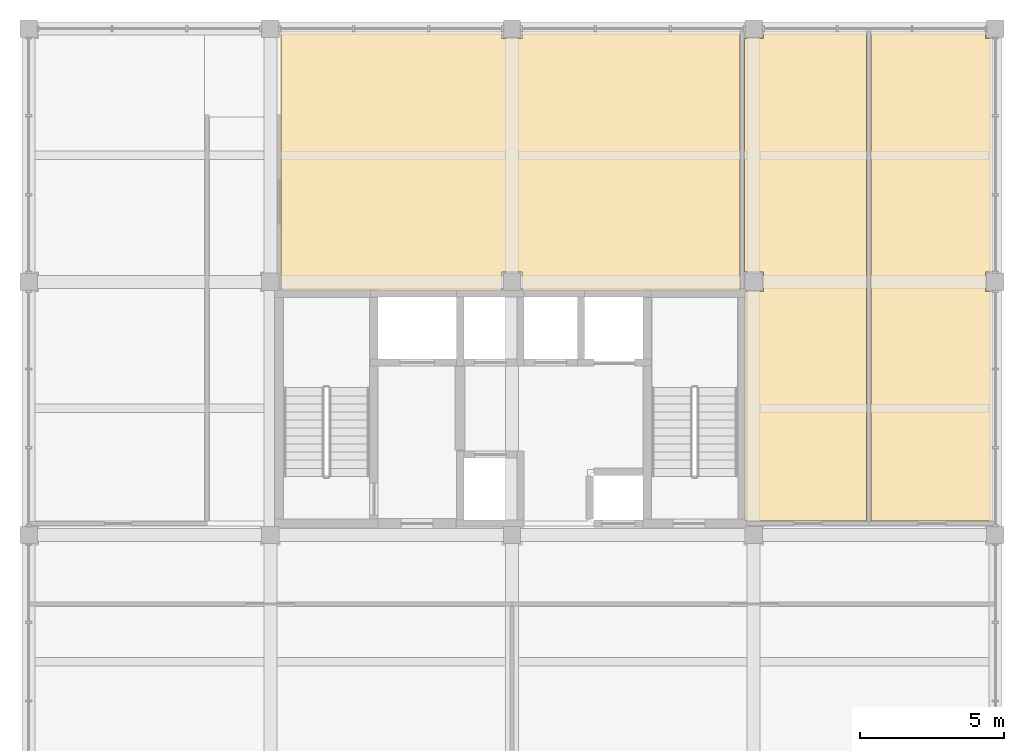
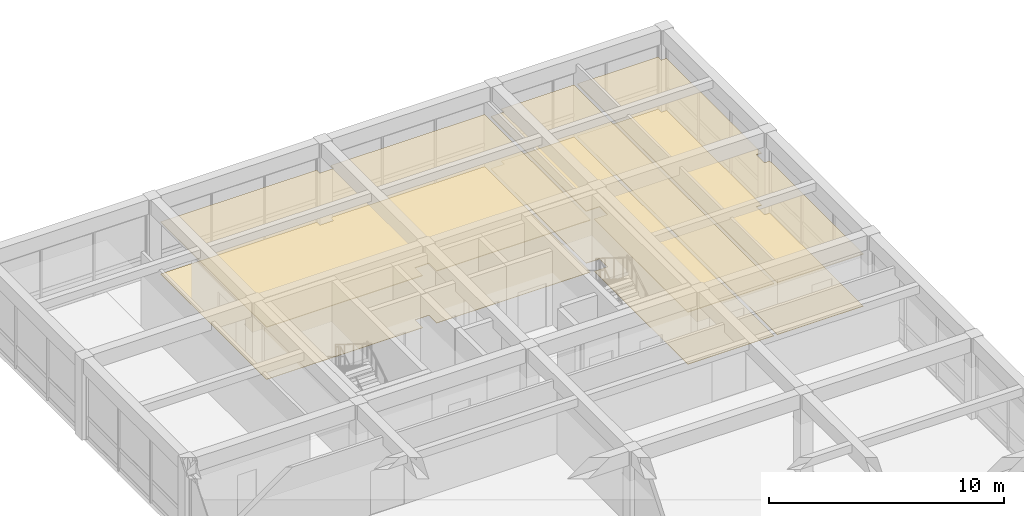
# One storey, part 14 of 14: 6 coverings.
"""IFC4 building model written with IfcOpenShell, lengths in metres."""

from ifc_helpers import new_model, si_unit, direction, frame, origin, place, context, subcontext, project, spatial, polyline, outline, extrude, material, layer, layer_set, type_object, element, save


model = new_model("IFC4")

# Units and contexts
model_context = context("Model", 3, precision=1e-05, world=origin(), true_north=direction((0.0, 1.0)))
body_context = subcontext(model_context, "Body", "Model", "MODEL_VIEW")
ifc_project = project(units=[si_unit("LENGTHUNIT", "METRE"), si_unit("AREAUNIT", "SQUARE_METRE"), si_unit("VOLUMEUNIT", "CUBIC_METRE"), si_unit("PLANEANGLEUNIT", "RADIAN"), si_unit("MASSUNIT", "GRAM", prefix="KILO")], contexts=[model_context])

# Site, building, storey
site_placement = place(None, origin())
site = spatial("IfcSite", under=ifc_project, at=site_placement, CompositionType="ELEMENT")
building_placement = place(site_placement, origin())
building = spatial("IfcBuilding", under=site, at=building_placement, Name="Kemercrest Conservatory and Botanical Centre", CompositionType="ELEMENT")
storey_placement = place(building_placement, frame((0.0, 0.0, 63.800048828125)))
storey = spatial("IfcBuildingStorey", under=building, at=storey_placement, Name="L16", CompositionType="ELEMENT", Elevation=63.800048828125)

# Coverings
ifc_material_1 = material(Name="Perforated acoustic gypsum and mineral-fibre suspended ceiling", Category="gypsum")
ifc_layer_1 = layer(ifc_material_1, 0.034912109375)
ifc_layer_set_1 = layer_set([ifc_layer_1], Name="Perforated acoustic gypsum and mineral-fibre suspended ceiling")
covering_type_1 = type_object("IfcCoveringType", Name="CV-CLG035", PredefinedType="CEILING", material=ifc_layer_set_1)
covering_1_placement = place(storey_placement, frame((0.0, 0.0, 2.699951171875)))
element("IfcCovering", 1, at=covering_1_placement, inside=storey, type_object=covering_type_1, Name="Visitor Orientation Gallery suspended acoustic ceiling", PredefinedType="CEILING", context=body_context, shape_type="SweptSolid", body=[
    extrude(outline(polyline([(159.5400390625, 113.280029296875), (167.1201171875, 113.280029296875), (167.1201171875, 122.320068359375), (159.5400390625, 122.320068359375), (159.5400390625, 122.06005859375), (158.860107421875, 122.06005859375), (158.860107421875, 122.320068359375), (151.179931640625, 122.320068359375), (151.179931640625, 113.280029296875), (158.860107421875, 113.280029296875), (158.860107421875, 113.93994140625), (159.5400390625, 113.93994140625), (159.5400390625, 113.280029296875)])), origin(), (0.0, 0.0, 1.0), 0.034912109375),
])
covering_2_placement = place(storey_placement, frame((0.0, 0.0, 2.699951171875)))
element("IfcCovering", 2, at=covering_2_placement, inside=storey, type_object=covering_type_1, Name="Public Washroom suspended acoustic ceiling", PredefinedType="CEILING", context=body_context, shape_type="SweptSolid", body=[
    extrude(outline(polyline([(167.280029296875, 105.280029296875), (171.52001953125, 105.280029296875), (171.52001953125, 122.320068359375), (167.93994140625, 122.320068359375), (167.93994140625, 122.06005859375), (167.280029296875, 122.06005859375), (167.280029296875, 113.93994140625), (167.93994140625, 113.93994140625), (167.93994140625, 113.260009765625), (167.280029296875, 113.260009765625), (167.280029296875, 105.280029296875)])), origin(), (0.0, 0.0, 1.0), 0.034912109375),
])
covering_3_placement = place(storey_placement, frame((0.0, 0.0, 2.699951171875)))
element("IfcCovering", 3, at=covering_3_placement, inside=storey, type_object=covering_type_1, Name="Accessible Washroom suspended acoustic ceiling", PredefinedType="CEILING", context=body_context, shape_type="SweptSolid", body=[
    extrude(outline(polyline([(171.679931640625, 105.280029296875), (175.919921875, 105.280029296875), (175.919921875, 113.260009765625), (175.659912109375, 113.260009765625), (175.659912109375, 113.93994140625), (175.919921875, 113.93994140625), (175.919921875, 122.06005859375), (175.659912109375, 122.06005859375), (175.659912109375, 122.320068359375), (171.679931640625, 122.320068359375), (171.679931640625, 105.280029296875)])), origin(), (0.0, 0.0, 1.0), 0.034912109375),
])
ifc_material_2 = material(Name="Polished limestone terrazzo and seamless laboratory epoxy flooring", Category="masonry")
ifc_layer_2 = layer(ifc_material_2, 0.02001953125)
ifc_layer_set_2 = layer_set([ifc_layer_2], Name="Polished limestone terrazzo and seamless laboratory epoxy flooring")
covering_type_2 = type_object("IfcCoveringType", Name="CV-FLR020", PredefinedType="FLOORING", material=ifc_layer_set_2)
covering_4_placement = place(storey_placement, origin())
element("IfcCovering", 4, at=covering_4_placement, inside=storey, type_object=covering_type_2, Name="Visitor Orientation Gallery floor finish", PredefinedType="FLOORING", context=body_context, shape_type="SweptSolid", body=[
    extrude(outline(polyline([(159.5400390625, 113.280029296875), (167.1201171875, 113.280029296875), (167.1201171875, 122.320068359375), (159.5400390625, 122.320068359375), (159.5400390625, 122.06005859375), (158.860107421875, 122.06005859375), (158.860107421875, 122.320068359375), (151.179931640625, 122.320068359375), (151.179931640625, 113.280029296875), (158.860107421875, 113.280029296875), (158.860107421875, 113.93994140625), (159.5400390625, 113.93994140625), (159.5400390625, 113.280029296875)])), origin(), (0.0, 0.0, 1.0), 0.02001953125),
])
covering_5_placement = place(storey_placement, origin())
element("IfcCovering", 5, at=covering_5_placement, inside=storey, type_object=covering_type_2, Name="Public Washroom floor finish", PredefinedType="FLOORING", context=body_context, shape_type="SweptSolid", body=[
    extrude(outline(polyline([(167.280029296875, 105.280029296875), (171.52001953125, 105.280029296875), (171.52001953125, 122.320068359375), (167.93994140625, 122.320068359375), (167.93994140625, 122.06005859375), (167.280029296875, 122.06005859375), (167.280029296875, 113.93994140625), (167.93994140625, 113.93994140625), (167.93994140625, 113.260009765625), (167.280029296875, 113.260009765625), (167.280029296875, 105.280029296875)])), origin(), (0.0, 0.0, 1.0), 0.02001953125),
])
covering_6_placement = place(storey_placement, origin())
element("IfcCovering", 6, at=covering_6_placement, inside=storey, type_object=covering_type_2, Name="Accessible Washroom floor finish", PredefinedType="FLOORING", context=body_context, shape_type="SweptSolid", body=[
    extrude(outline(polyline([(171.679931640625, 105.280029296875), (175.919921875, 105.280029296875), (175.919921875, 113.260009765625), (175.659912109375, 113.260009765625), (175.659912109375, 113.93994140625), (175.919921875, 113.93994140625), (175.919921875, 122.06005859375), (175.659912109375, 122.06005859375), (175.659912109375, 122.320068359375), (171.679931640625, 122.320068359375), (171.679931640625, 105.280029296875)])), origin(), (0.0, 0.0, 1.0), 0.02001953125),
])

save(model, "model.ifc")
